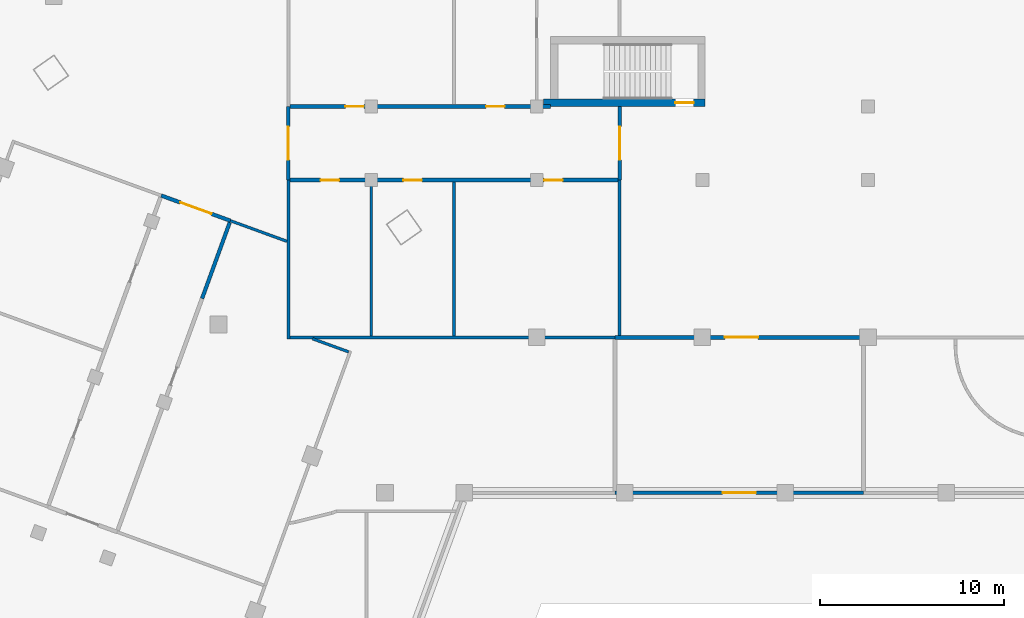
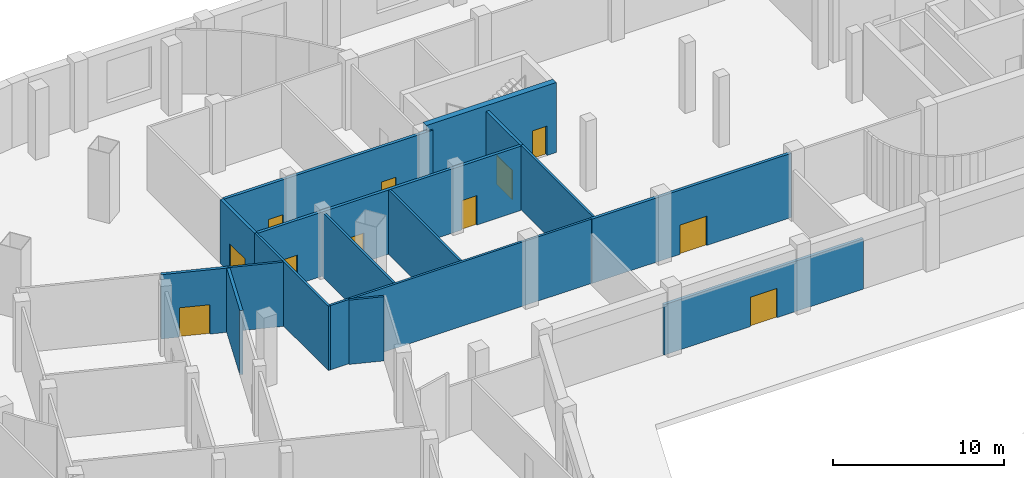
# One storey, part 7 of 20: 16 walls, 11 doors, 11 openings.
"""IFC4 building model written with IfcOpenShell, lengths in metres."""

from ifc_helpers import new_model, si_unit, direction, frame, frame_2d, origin, place, context, subcontext, project, spatial, rectangle, extrude, material, layer, layer_set, type_object, element, fill, save


model = new_model("IFC4")

# Units and contexts
model_context = context("Model", 3, precision=1e-05, world=origin(), true_north=direction((0.0, 1.0)))
body_context = subcontext(model_context, "Body", "Model", "MODEL_VIEW")
ifc_project = project(units=[si_unit("LENGTHUNIT", "METRE"), si_unit("AREAUNIT", "SQUARE_METRE"), si_unit("VOLUMEUNIT", "CUBIC_METRE"), si_unit("PLANEANGLEUNIT", "RADIAN"), si_unit("MASSUNIT", "GRAM", prefix="KILO")], contexts=[model_context])

# Site, building, storey
site_placement = place(None, origin())
site = spatial("IfcSite", under=ifc_project, at=site_placement, CompositionType="ELEMENT")
building_placement = place(site_placement, origin())
building = spatial("IfcBuilding", under=site, at=building_placement, Name="Skarvind Civic Tower", CompositionType="ELEMENT")
storey_placement = place(building_placement, frame((0.0, 0.0, 17.5)))
storey = spatial("IfcBuildingStorey", under=building, at=storey_placement, Name="L03", CompositionType="ELEMENT", Elevation=17.5)

# Wall, opening, door
ifc_material_1 = material(Name="Concrete C80", Category="concrete")
ifc_layer_1 = layer(ifc_material_1, 0.39990234375)
ifc_layer_set_1 = layer_set([ifc_layer_1], Name="Core wall 400 C80")
wall_type_1 = type_object("IfcWallType", Name="Core wall 400 C80", PredefinedType="SHEAR", material=ifc_layer_set_1)
wall_1_placement = place(storey_placement, frame((63.60009765625, 130.199951171875, 0.0), z_axis=(0.0, 0.0, 1.0), x_axis=(1.0, 0.0, 0.0)))
wall_1 = element("IfcWall", 1, at=wall_1_placement, inside=storey, type_object=wall_type_1, Name="Core wall CM inner L03", PredefinedType="SHEAR", context=body_context, shape_type="SweptSolid", body=[
    extrude(rectangle(XDim=8.7998046875, YDim=0.39990234375, at=frame_2d((4.39990234375, 0.0))), origin(), (0.0, 0.0, 1.0), 5.0),
])
opening_1_placement = place(wall_1_placement, frame((7.175048828125, 0.0, 0.0)))
opening_1 = element("IfcOpeningElement", 2, at=opening_1_placement, cuts=wall_1, Name="Opening D-L03-CM-01", PredefinedType="OPENING", context=body_context, shape_type="SweptSolid", body=[
    extrude(rectangle(XDim=1.0, YDim=2.10009765625, at=frame_2d((0.5, 1.050048828125))), frame((0.0, 0.2099609375, 0.0), z_axis=(0.0, -1.0, 0.0), x_axis=(1.0, 0.0, 0.0)), (0.0, 0.0, 1.0), 0.419921875),
])
ifc_material_2 = material(Name="Fire-rated steel door", Category="steel")
door_type_1 = type_object("IfcDoorType", Name="Fire door 1000", OperationType="NOTDEFINED", PredefinedType="DOOR", material=ifc_material_2)
door_1_placement = place(opening_1_placement, origin())
door_1 = element("IfcDoor", 3, at=door_1_placement, inside=storey, type_object=door_type_1, Name="Fire door", OperationType="SINGLE_SWING_LEFT", OverallHeight=2.10009765625, OverallWidth=1.0, PredefinedType="DOOR", context=body_context, shape_type="SweptSolid", body=[
    extrude(rectangle(XDim=1.0, YDim=2.10009765625, at=frame_2d((0.5, 1.050048828125))), frame((0.0, 0.02490234375, 0.0), z_axis=(0.0, -1.0, 0.0), x_axis=(1.0, 0.0, 0.0)), (0.0, 0.0, 1.0), 0.050048828125),
])
fill(opening_1, door_1)

ifc_material_3 = material(Name="Fire-rated blockwork wall, plastered", Category="masonry")
ifc_layer_2 = layer(ifc_material_3, 0.199951171875)
ifc_layer_set_2 = layer_set([ifc_layer_2], Name="FIRE WALL 200 EI 60")
wall_type_2 = type_object("IfcWallType", Name="FIRE WALL 200 EI 60", PredefinedType="PARTITIONING", material=ifc_layer_set_2)
wall_2_placement = place(storey_placement, frame((42.837890625, 125.159912109375, 0.0), z_axis=(0.0, 0.0, 1.0), x_axis=(0.939713209288, -0.341963571582, 0.0)))
wall_2 = element("IfcWall", 4, at=wall_2_placement, inside=storey, type_object=wall_type_2, Name="Podium partition L03 073", PredefinedType="PARTITIONING", context=body_context, shape_type="SweptSolid", body=[
    extrude(rectangle(XDim=4.000244140625, YDim=0.199951171875, at=frame_2d((2.0, 0.0))), origin(), (0.0, 0.0, 1.0), 4.60009765625),
])
opening_2_placement = place(wall_2_placement, frame((1.10009765625, 0.0, 0.0)))
opening_2 = element("IfcOpeningElement", 5, at=opening_2_placement, cuts=wall_2, Name="Opening L03-D210", PredefinedType="OPENING", context=body_context, shape_type="SweptSolid", body=[
    extrude(rectangle(XDim=1.800048828125, YDim=2.10009765625, at=frame_2d((0.89990234375, 1.050048828125))), frame((0.0, 0.10986328125, 0.0), z_axis=(0.0, -1.0, 0.0), x_axis=(1.0, 0.0, 0.0)), (0.0, 0.0, 1.0), 0.219970703125),
])
ifc_material_4 = material(Name="Painted steel fire door leaf", Category="steel")
door_type_2 = type_object("IfcDoorType", Name="FIRE DOOR 1800X2100 DOUBLE STEEL", OperationType="NOTDEFINED", PredefinedType="DOOR", material=ifc_material_4)
door_2_placement = place(opening_2_placement, origin())
door_2 = element("IfcDoor", 6, at=door_2_placement, inside=storey, type_object=door_type_2, Name="FIRE DOOR", OperationType="DOUBLE_DOOR_SINGLE_SWING", OverallHeight=2.10009765625, OverallWidth=1.800048828125, PredefinedType="DOOR", context=body_context, shape_type="SweptSolid", body=[
    extrude(rectangle(XDim=1.800048828125, YDim=2.10009765625, at=frame_2d((0.89990234375, 1.050048828125))), frame((0.0, 0.02490234375, 0.0), z_axis=(0.0, -1.0, 0.0), x_axis=(1.0, 0.0, 0.0)), (0.0, 0.0, 1.0), 0.050048828125),
])
fill(opening_2, door_2)

# Wall
wall_3_placement = place(storey_placement, frame((45.05810546875, 119.56298828125, 0.0), z_axis=(0.0, 0.0, 1.0), x_axis=(0.34199251863, 0.939702674893, 0.0)))
element("IfcWall", 7, at=wall_3_placement, inside=storey, type_object=wall_type_2, Name="Podium partition L03 084", PredefinedType="PARTITIONING", context=body_context, shape_type="SweptSolid", body=[
    extrude(rectangle(XDim=4.400390625, YDim=0.199951171875, at=frame_2d((2.2001953125, 0.0))), origin(), (0.0, 0.0, 1.0), 4.60009765625),
])

# Wall, opening, door
wall_4_placement = place(storey_placement, frame((49.75, 126.0, 0.0), z_axis=(0.0, 0.0, 1.0), x_axis=(0.0, 1.0, 0.0)))
wall_4 = element("IfcWall", 8, at=wall_4_placement, inside=storey, type_object=wall_type_2, Name="Podium partition L03 110", PredefinedType="PARTITIONING", context=body_context, shape_type="SweptSolid", body=[
    extrude(rectangle(XDim=4.0, YDim=0.199951171875, at=frame_2d((2.0, 0.0))), origin(), (0.0, 0.0, 1.0), 4.60009765625),
])
opening_3_placement = place(wall_4_placement, frame((1.10009765625, 0.0, 0.0)))
opening_3 = element("IfcOpeningElement", 9, at=opening_3_placement, cuts=wall_4, Name="Opening L03-D213", PredefinedType="OPENING", context=body_context, shape_type="SweptSolid", body=[
    extrude(rectangle(XDim=1.800048828125, YDim=2.10009765625, at=frame_2d((0.89990234375, 1.050048828125))), frame((0.0, 0.10986328125, 0.0), z_axis=(0.0, -1.0, 0.0), x_axis=(1.0, 0.0, 0.0)), (0.0, 0.0, 1.0), 0.219970703125),
])
door_3_placement = place(opening_3_placement, origin())
door_3 = element("IfcDoor", 10, at=door_3_placement, inside=storey, type_object=door_type_2, Name="FIRE DOOR", OperationType="DOUBLE_DOOR_SINGLE_SWING", OverallHeight=2.10009765625, OverallWidth=1.800048828125, PredefinedType="DOOR", context=body_context, shape_type="SweptSolid", body=[
    extrude(rectangle(XDim=1.800048828125, YDim=2.10009765625, at=frame_2d((0.89990234375, 1.050048828125))), frame((0.0, 0.02490234375, 0.0), z_axis=(0.0, -1.0, 0.0), x_axis=(1.0, 0.0, 0.0)), (0.0, 0.0, 1.0), 0.050048828125),
])
fill(opening_3, door_3)

# Wall, openings, doors
wall_5_placement = place(storey_placement, frame((67.64990234375, 126.0, 0.0), z_axis=(0.0, 0.0, 1.0), x_axis=(-1.0, 0.0, 0.0)))
wall_5 = element("IfcWall", 11, at=wall_5_placement, inside=storey, type_object=wall_type_2, Name="Podium partition L03 111", PredefinedType="PARTITIONING", context=body_context, shape_type="SweptSolid", body=[
    extrude(rectangle(XDim=17.7998046875, YDim=0.199951171875, at=frame_2d((8.89990234375, 0.0))), origin(), (0.0, 0.0, 1.0), 4.60009765625),
])
opening_4_placement = place(wall_5_placement, frame((15.14794921875, 0.0, 0.0)))
opening_4 = element("IfcOpeningElement", 12, at=opening_4_placement, cuts=wall_5, Name="Opening L03-D214", PredefinedType="OPENING", context=body_context, shape_type="SweptSolid", body=[
    extrude(rectangle(XDim=1.0, YDim=2.10009765625, at=frame_2d((0.5, 1.050048828125))), frame((0.0, 0.10986328125, 0.0), z_axis=(0.0, -1.0, 0.0), x_axis=(1.0, 0.0, 0.0)), (0.0, 0.0, 1.0), 0.219970703125),
])
opening_5_placement = place(wall_5_placement, frame((10.64990234375, 0.0, 0.0)))
opening_5 = element("IfcOpeningElement", 13, at=opening_5_placement, cuts=wall_5, Name="Opening L03-D218", PredefinedType="OPENING", context=body_context, shape_type="SweptSolid", body=[
    extrude(rectangle(XDim=1.0, YDim=2.10009765625, at=frame_2d((0.5, 1.050048828125))), frame((0.0, 0.10986328125, 0.0), z_axis=(0.0, -1.0, 0.0), x_axis=(1.0, 0.0, 0.0)), (0.0, 0.0, 1.0), 0.219970703125),
])
opening_6_placement = place(wall_5_placement, frame((3.001953125, 0.0, 0.0)))
opening_6 = element("IfcOpeningElement", 14, at=opening_6_placement, cuts=wall_5, Name="Opening L03-D221", PredefinedType="OPENING", context=body_context, shape_type="SweptSolid", body=[
    extrude(rectangle(XDim=1.0, YDim=2.10009765625, at=frame_2d((0.5, 1.050048828125))), frame((0.0, 0.10986328125, 0.0), z_axis=(0.0, -1.0, 0.0), x_axis=(1.0, 0.0, 0.0)), (0.0, 0.0, 1.0), 0.219970703125),
])
door_type_3 = type_object("IfcDoorType", Name="FIRE DOOR 1000X2100 STEEL", OperationType="NOTDEFINED", PredefinedType="DOOR", material=ifc_material_4)
door_4_placement = place(opening_4_placement, origin())
door_4 = element("IfcDoor", 15, at=door_4_placement, inside=storey, type_object=door_type_3, Name="FIRE DOOR", OperationType="SINGLE_SWING_RIGHT", OverallHeight=2.10009765625, OverallWidth=1.0, PredefinedType="DOOR", context=body_context, shape_type="SweptSolid", body=[
    extrude(rectangle(XDim=1.0, YDim=2.10009765625, at=frame_2d((0.5, 1.050048828125))), frame((0.0, 0.02490234375, 0.0), z_axis=(0.0, -1.0, 0.0), x_axis=(1.0, 0.0, 0.0)), (0.0, 0.0, 1.0), 0.050048828125),
])
fill(opening_4, door_4)
door_5_placement = place(opening_5_placement, origin())
door_5 = element("IfcDoor", 16, at=door_5_placement, inside=storey, type_object=door_type_3, Name="FIRE DOOR", OperationType="SINGLE_SWING_LEFT", OverallHeight=2.10009765625, OverallWidth=1.0, PredefinedType="DOOR", context=body_context, shape_type="SweptSolid", body=[
    extrude(rectangle(XDim=1.0, YDim=2.10009765625, at=frame_2d((0.5, 1.050048828125))), frame((0.0, 0.02490234375, 0.0), z_axis=(0.0, -1.0, 0.0), x_axis=(1.0, 0.0, 0.0)), (0.0, 0.0, 1.0), 0.050048828125),
])
fill(opening_5, door_5)
door_6_placement = place(opening_6_placement, origin())
door_6 = element("IfcDoor", 17, at=door_6_placement, inside=storey, type_object=door_type_3, Name="FIRE DOOR", OperationType="SINGLE_SWING_LEFT", OverallHeight=2.10009765625, OverallWidth=1.0, PredefinedType="DOOR", context=body_context, shape_type="SweptSolid", body=[
    extrude(rectangle(XDim=1.0, YDim=2.10009765625, at=frame_2d((0.5, 1.050048828125))), frame((0.0, 0.02490234375, 0.0), z_axis=(0.0, -1.0, 0.0), x_axis=(1.0, 0.0, 0.0)), (0.0, 0.0, 1.0), 0.050048828125),
])
fill(opening_6, door_6)

wall_6_placement = place(storey_placement, frame((49.85009765625, 130.0, 0.0), z_axis=(0.0, 0.0, 1.0), x_axis=(1.0, 0.0, 0.0)))
wall_6 = element("IfcWall", 18, at=wall_6_placement, inside=storey, type_object=wall_type_2, Name="Podium partition L03 113", PredefinedType="PARTITIONING", context=body_context, shape_type="SweptSolid", body=[
    extrude(rectangle(XDim=14.14990234375, YDim=0.199951171875, at=frame_2d((7.074951171875, 0.0))), origin(), (0.0, 0.0, 1.0), 4.60009765625),
])
opening_7_placement = place(wall_6_placement, frame((3.001953125, 0.0, 0.0)))
opening_7 = element("IfcOpeningElement", 19, at=opening_7_placement, cuts=wall_6, Name="Opening L03-D215", PredefinedType="OPENING", context=body_context, shape_type="SweptSolid", body=[
    extrude(rectangle(XDim=1.0, YDim=2.10009765625, at=frame_2d((0.5, 1.050048828125))), frame((0.0, 0.10986328125, 0.0), z_axis=(0.0, -1.0, 0.0), x_axis=(1.0, 0.0, 0.0)), (0.0, 0.0, 1.0), 0.219970703125),
])
opening_8_placement = place(wall_6_placement, frame((10.64990234375, 0.0, 0.0)))
opening_8 = element("IfcOpeningElement", 20, at=opening_8_placement, cuts=wall_6, Name="Opening L03-D219", PredefinedType="OPENING", context=body_context, shape_type="SweptSolid", body=[
    extrude(rectangle(XDim=1.0, YDim=2.10009765625, at=frame_2d((0.5, 1.050048828125))), frame((0.0, 0.10986328125, 0.0), z_axis=(0.0, -1.0, 0.0), x_axis=(1.0, 0.0, 0.0)), (0.0, 0.0, 1.0), 0.219970703125),
])
door_7_placement = place(opening_7_placement, origin())
door_7 = element("IfcDoor", 21, at=door_7_placement, inside=storey, type_object=door_type_3, Name="FIRE DOOR", OperationType="SINGLE_SWING_LEFT", OverallHeight=2.10009765625, OverallWidth=1.0, PredefinedType="DOOR", context=body_context, shape_type="SweptSolid", body=[
    extrude(rectangle(XDim=1.0, YDim=2.10009765625, at=frame_2d((0.5, 1.050048828125))), frame((0.0, 0.02490234375, 0.0), z_axis=(0.0, -1.0, 0.0), x_axis=(1.0, 0.0, 0.0)), (0.0, 0.0, 1.0), 0.050048828125),
])
fill(opening_7, door_7)
door_8_placement = place(opening_8_placement, origin())
door_8 = element("IfcDoor", 22, at=door_8_placement, inside=storey, type_object=door_type_3, Name="FIRE DOOR", OperationType="SINGLE_SWING_RIGHT", OverallHeight=2.10009765625, OverallWidth=1.0, PredefinedType="DOOR", context=body_context, shape_type="SweptSolid", body=[
    extrude(rectangle(XDim=1.0, YDim=2.10009765625, at=frame_2d((0.5, 1.050048828125))), frame((0.0, 0.02490234375, 0.0), z_axis=(0.0, -1.0, 0.0), x_axis=(1.0, 0.0, 0.0)), (0.0, 0.0, 1.0), 0.050048828125),
])
fill(opening_8, door_8)

# Wall, opening, door
wall_7_placement = place(storey_placement, frame((67.5, 109.0, 0.0), z_axis=(0.0, 0.0, 1.0), x_axis=(1.0, 0.0, 0.0)))
wall_7 = element("IfcWall", 23, at=wall_7_placement, inside=storey, type_object=wall_type_2, Name="Podium partition L03 142", PredefinedType="PARTITIONING", context=body_context, shape_type="SweptSolid", body=[
    extrude(rectangle(XDim=13.5, YDim=0.199951171875, at=frame_2d((6.75, 0.0))), origin(), (0.0, 0.0, 1.0), 3.60009765625),
])
opening_9_placement = place(wall_7_placement, frame((5.85009765625, 0.0, 0.0)))
opening_9 = element("IfcOpeningElement", 24, at=opening_9_placement, cuts=wall_7, Name="Opening L03-D223", PredefinedType="OPENING", context=body_context, shape_type="SweptSolid", body=[
    extrude(rectangle(XDim=1.800048828125, YDim=2.10009765625, at=frame_2d((0.89990234375, 1.050048828125))), frame((0.0, 0.10986328125, 0.0), z_axis=(0.0, -1.0, 0.0), x_axis=(1.0, 0.0, 0.0)), (0.0, 0.0, 1.0), 0.219970703125),
])
door_9_placement = place(opening_9_placement, origin())
door_9 = element("IfcDoor", 25, at=door_9_placement, inside=storey, type_object=door_type_2, Name="FIRE DOOR", OperationType="DOUBLE_DOOR_SINGLE_SWING", OverallHeight=2.10009765625, OverallWidth=1.800048828125, PredefinedType="DOOR", context=body_context, shape_type="SweptSolid", body=[
    extrude(rectangle(XDim=1.800048828125, YDim=2.10009765625, at=frame_2d((0.89990234375, 1.050048828125))), frame((0.0, 0.02490234375, 0.0), z_axis=(0.0, -1.0, 0.0), x_axis=(1.0, 0.0, 0.0)), (0.0, 0.0, 1.0), 0.050048828125),
])
fill(opening_9, door_9)

wall_8_placement = place(storey_placement, frame((67.5, 117.449951171875, 0.0), z_axis=(0.0, 0.0, 1.0), x_axis=(1.0, 0.0, 0.0)))
wall_8 = element("IfcWall", 26, at=wall_8_placement, inside=storey, type_object=wall_type_2, Name="Podium partition L03 143", PredefinedType="PARTITIONING", context=body_context, shape_type="SweptSolid", body=[
    extrude(rectangle(XDim=13.5, YDim=0.199951171875, at=frame_2d((6.75, 0.0))), origin(), (0.0, 0.0, 1.0), 4.60009765625),
])
opening_10_placement = place(wall_8_placement, frame((5.97705078125, 0.0, 0.0)))
opening_10 = element("IfcOpeningElement", 27, at=opening_10_placement, cuts=wall_8, Name="Opening L03-D224", PredefinedType="OPENING", context=body_context, shape_type="SweptSolid", body=[
    extrude(rectangle(XDim=1.800048828125, YDim=2.10009765625, at=frame_2d((0.89990234375, 1.050048828125))), frame((0.0, 0.10986328125, 0.0), z_axis=(0.0, -1.0, 0.0), x_axis=(1.0, 0.0, 0.0)), (0.0, 0.0, 1.0), 0.219970703125),
])
door_10_placement = place(opening_10_placement, origin())
door_10 = element("IfcDoor", 28, at=door_10_placement, inside=storey, type_object=door_type_2, Name="FIRE DOOR", OperationType="DOUBLE_DOOR_SINGLE_SWING", OverallHeight=2.10009765625, OverallWidth=1.800048828125, PredefinedType="DOOR", context=body_context, shape_type="SweptSolid", body=[
    extrude(rectangle(XDim=1.800048828125, YDim=2.10009765625, at=frame_2d((0.89990234375, 1.050048828125))), frame((0.0, 0.02490234375, 0.0), z_axis=(0.0, -1.0, 0.0), x_axis=(1.0, 0.0, 0.0)), (0.0, 0.0, 1.0), 0.050048828125),
])
fill(opening_10, door_10)

wall_9_placement = place(storey_placement, frame((67.75, 130.0, 0.0), z_axis=(0.0, 0.0, 1.0), x_axis=(0.0, -1.0, 0.0)))
wall_9 = element("IfcWall", 29, at=wall_9_placement, inside=storey, type_object=wall_type_2, Name="Podium partition L03 145", PredefinedType="PARTITIONING", context=body_context, shape_type="SweptSolid", body=[
    extrude(rectangle(XDim=4.0, YDim=0.199951171875, at=frame_2d((2.0, 0.0))), origin(), (0.0, 0.0, 1.0), 4.60009765625),
])
opening_11_placement = place(wall_9_placement, frame((1.10009765625, 0.0, 0.0)))
opening_11 = element("IfcOpeningElement", 30, at=opening_11_placement, cuts=wall_9, Name="Opening L03-D222", PredefinedType="OPENING", context=body_context, shape_type="SweptSolid", body=[
    extrude(rectangle(XDim=1.800048828125, YDim=2.10009765625, at=frame_2d((0.89990234375, 1.050048828125))), frame((0.0, 0.10986328125, 0.0), z_axis=(0.0, -1.0, 0.0), x_axis=(1.0, 0.0, 0.0)), (0.0, 0.0, 1.0), 0.219970703125),
])
door_11_placement = place(opening_11_placement, origin())
door_11 = element("IfcDoor", 31, at=door_11_placement, inside=storey, type_object=door_type_2, Name="FIRE DOOR", OperationType="DOUBLE_DOOR_SINGLE_SWING", OverallHeight=2.10009765625, OverallWidth=1.800048828125, PredefinedType="DOOR", context=body_context, shape_type="SweptSolid", body=[
    extrude(rectangle(XDim=1.800048828125, YDim=2.10009765625, at=frame_2d((0.89990234375, 1.050048828125))), frame((0.0, 0.02490234375, 0.0), z_axis=(0.0, -1.0, 0.0), x_axis=(1.0, 0.0, 0.0)), (0.0, 0.0, 1.0), 0.050048828125),
])
fill(opening_11, door_11)

# Walls
ifc_material_5 = material(Name="Plasterboard partition on steel studs", Category="steel")
ifc_layer_3 = layer(ifc_material_5, 0.14990234375)
ifc_layer_set_3 = layer_set([ifc_layer_3], Name="PARTITION 150")
wall_type_3 = type_object("IfcWallType", Name="PARTITION 150", PredefinedType="PARTITIONING", material=ifc_layer_set_3)
wall_10_placement = place(storey_placement, frame((46.596923828125, 123.7919921875, 0.0), z_axis=(0.0, 0.0, 1.0), x_axis=(0.939619227089, -0.342221723572, 0.0)))
element("IfcWall", 32, at=wall_10_placement, inside=storey, type_object=wall_type_3, Name="Podium partition L03 090", PredefinedType="PARTITIONING", context=body_context, shape_type="SweptSolid", body=[
    extrude(rectangle(XDim=3.27587890625, YDim=0.14990234375, at=frame_2d((1.637939453125, 0.0))), origin(), (0.0, 0.0, 1.0), 4.60009765625),
])
wall_11_placement = place(storey_placement, frame((49.75, 117.375, 0.0), z_axis=(0.0, 0.0, 1.0), x_axis=(0.0, 1.0, 0.0)))
element("IfcWall", 33, at=wall_11_placement, inside=storey, type_object=wall_type_3, Name="Podium partition L03 108", PredefinedType="PARTITIONING", context=body_context, shape_type="SweptSolid", body=[
    extrude(rectangle(XDim=8.625, YDim=0.14990234375, at=frame_2d((4.3125, 0.0))), origin(), (0.0, 0.0, 1.0), 4.60009765625),
])
wall_12_placement = place(storey_placement, frame((49.824951171875, 117.449951171875, 0.0), z_axis=(0.0, 0.0, 1.0), x_axis=(1.0, 0.0, 0.0)))
element("IfcWall", 34, at=wall_12_placement, inside=storey, type_object=wall_type_3, Name="Podium partition L03 109", PredefinedType="PARTITIONING", context=body_context, shape_type="SweptSolid", body=[
    extrude(rectangle(XDim=17.675048828125, YDim=0.14990234375, at=frame_2d((8.83740234375, 0.0))), origin(), (0.0, 0.0, 1.0), 4.60009765625),
])
wall_13_placement = place(storey_placement, frame((51.06591796875, 117.376953125, 0.0), z_axis=(0.0, 0.0, 1.0), x_axis=(0.939697502841, -0.342006729691, 0.0)))
element("IfcWall", 35, at=wall_13_placement, inside=storey, type_object=wall_type_3, Name="Podium partition L03 124", PredefinedType="PARTITIONING", context=body_context, shape_type="SweptSolid", body=[
    extrude(rectangle(XDim=2.08154296875, YDim=0.14990234375, at=frame_2d((1.040771484375, 0.0))), origin(), (0.0, 0.0, 1.0), 4.60009765625),
])
for number, where, z_axis, x_axis, name in (
    (36, (54.25, 117.52490234375, 0.0), (0.0, 0.0, 1.0), (0.0, 1.0, 0.0), "Podium partition L03 129"),
    (37, (58.75, 117.52490234375, 0.0), (0.0, 0.0, 1.0), (0.0, 1.0, 0.0), "Podium partition L03 132"),
):
    element("IfcWall", number, at=place(storey_placement, frame(where, z_axis=z_axis, x_axis=x_axis)), inside=storey, type_object=wall_type_3, Name=name, PredefinedType="PARTITIONING", context=body_context, shape_type="SweptSolid", body=[
        extrude(rectangle(XDim=8.375, YDim=0.14990234375, at=frame_2d((4.1875, 0.0))), origin(), (0.0, 0.0, 1.0), 4.60009765625),
    ])
wall_14_placement = place(storey_placement, frame((67.75, 117.550048828125, 0.0), z_axis=(0.0, 0.0, 1.0), x_axis=(0.0, 1.0, 0.0)))
element("IfcWall", 38, at=wall_14_placement, inside=storey, type_object=wall_type_3, Name="Podium partition L03 144", PredefinedType="PARTITIONING", context=body_context, shape_type="SweptSolid", body=[
    extrude(rectangle(XDim=8.449951171875, YDim=0.14990234375, at=frame_2d((4.22509765625, 0.0))), origin(), (0.0, 0.0, 1.0), 4.60009765625),
])

save(model, "model.ifc")
